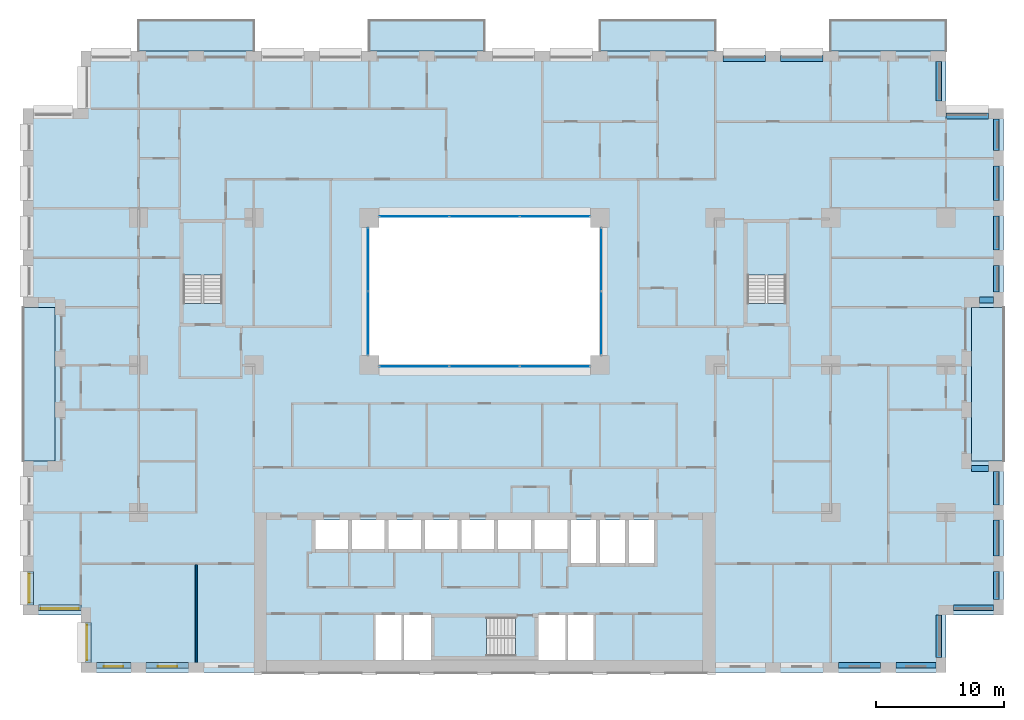
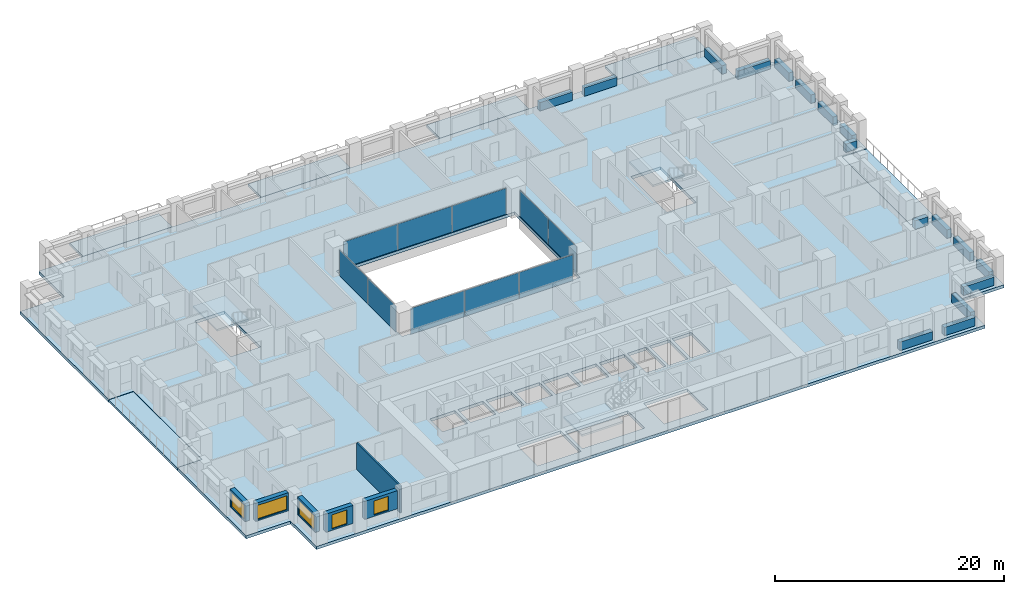
# One storey, part 8 of 20: 17 beams, 10 plates, 10 slabs, 6 walls, 5 windows, 5 openings, 7 elements without a shape of their own.
"""IFC4 building model written with IfcOpenShell, lengths in metres."""

from ifc_helpers import new_model, si_unit, direction, frame, frame_2d, origin, origin_2d, place, context, subcontext, project, spatial, polyline, rectangle, outline, extrude, material, layer, layer_set, material_profile, profile_set, type_object, element, fill, aggregate, save


model = new_model("IFC4")

# Units and contexts
model_context = context("Model", 3, precision=1e-05, world=origin(), true_north=direction((0.0, 1.0)))
body_context = subcontext(model_context, "Body", "Model", "MODEL_VIEW")
ifc_project = project(units=[si_unit("LENGTHUNIT", "METRE"), si_unit("AREAUNIT", "SQUARE_METRE"), si_unit("VOLUMEUNIT", "CUBIC_METRE"), si_unit("PLANEANGLEUNIT", "RADIAN"), si_unit("MASSUNIT", "GRAM", prefix="KILO")], contexts=[model_context])

# Site, building, storey
site_placement = place(None, origin())
site = spatial("IfcSite", under=ifc_project, at=site_placement, CompositionType="ELEMENT")
building_placement = place(site_placement, origin())
building = spatial("IfcBuilding", under=site, at=building_placement, Name="Brigalow Station Residences", CompositionType="ELEMENT")
storey_placement = place(building_placement, frame((0.0, 0.0, 44.699951171875)))
storey = spatial("IfcBuildingStorey", under=building, at=storey_placement, Name="L12", CompositionType="ELEMENT", Elevation=44.699951171875)

# Beams
ifc_material_1 = material(Name="Concrete C65", Category="concrete")
ifc_material_profile = material_profile(ifc_material_1, rectangle(XDim=0.449951171875, YDim=0.89990234375, at=origin_2d()), Name="RC450x900")
ifc_profile_set = profile_set([ifc_material_profile], Name="Concrete C65")
beam_type = type_object("IfcBeamType", Name="SPANDREL BEAM 450x900 C65", PredefinedType="SPANDREL", material=ifc_profile_set)
beam_1_placement = place(storey_placement, frame((63.60009765625, 0.574951171875, 0.449951171875), z_axis=(1.0, 0.0, 0.0), x_axis=(0.0, 1.0, 0.0)))
element("IfcBeam", 1, at=beam_1_placement, inside=storey, type_object=beam_type, Name="L12/spandrel/W-L12-7", PredefinedType="SPANDREL", context=body_context, shape_type="SweptSolid", body=[
    extrude(rectangle(XDim=0.449951171875, YDim=0.89990234375, at=origin_2d()), origin(), (0.0, 0.0, 1.0), 3.2998046875),
])
beam_2_placement = place(storey_placement, frame((68.10009765625, 0.574951171875, 0.449951171875), z_axis=(1.0, 0.0, 0.0), x_axis=(0.0, 1.0, 0.0)))
element("IfcBeam", 2, at=beam_2_placement, inside=storey, type_object=beam_type, Name="L12/spandrel/W-L12-8", PredefinedType="SPANDREL", context=body_context, shape_type="SweptSolid", body=[
    extrude(rectangle(XDim=0.449951171875, YDim=0.89990234375, at=origin_2d()), origin(), (0.0, 0.0, 1.0), 3.099853515625),
])
beam_3_placement = place(storey_placement, frame((71.425048828125, 1.199951171875, 0.449951171875), z_axis=(0.0, 1.0, 0.0), x_axis=(-1.0, 0.0, 0.0)))
element("IfcBeam", 3, at=beam_3_placement, inside=storey, type_object=beam_type, Name="L12/spandrel/W-L12-9", PredefinedType="SPANDREL", context=body_context, shape_type="SweptSolid", body=[
    extrude(rectangle(XDim=0.449951171875, YDim=0.89990234375, at=origin_2d()), origin(), (0.0, 0.0, 1.0), 3.300048828125),
])
beam_4_placement = place(storey_placement, frame((72.60009765625, 5.074951171875, 0.449951171875), z_axis=(1.0, 0.0, 0.0), x_axis=(0.0, 1.0, 0.0)))
element("IfcBeam", 4, at=beam_4_placement, inside=storey, type_object=beam_type, Name="L12/spandrel/W-L12-10", PredefinedType="SPANDREL", context=body_context, shape_type="SweptSolid", body=[
    extrude(rectangle(XDim=0.449951171875, YDim=0.89990234375, at=origin_2d()), origin(), (0.0, 0.0, 1.0), 3.099853515625),
])
beam_5_placement = place(storey_placement, frame((75.925048828125, 5.699951171875, 0.449951171875), z_axis=(0.0, 1.0, 0.0), x_axis=(-1.0, 0.0, 0.0)))
element("IfcBeam", 5, at=beam_5_placement, inside=storey, type_object=beam_type, Name="L12/spandrel/W-L12-11", PredefinedType="SPANDREL", context=body_context, shape_type="SweptSolid", body=[
    extrude(rectangle(XDim=0.449951171875, YDim=0.89990234375, at=origin_2d()), origin(), (0.0, 0.0, 1.0), 2.199951171875),
])
beam_6_placement = place(storey_placement, frame((75.925048828125, 9.10009765625, 0.449951171875), z_axis=(0.0, 1.0, 0.0), x_axis=(-1.0, 0.0, 0.0)))
element("IfcBeam", 6, at=beam_6_placement, inside=storey, type_object=beam_type, Name="L12/spandrel/W-L12-12", PredefinedType="SPANDREL", context=body_context, shape_type="SweptSolid", body=[
    extrude(rectangle(XDim=0.449951171875, YDim=0.89990234375, at=origin_2d()), origin(), (0.0, 0.0, 1.0), 2.7998046875),
])
beam_7_placement = place(storey_placement, frame((75.925048828125, 13.10009765625, 0.449951171875), z_axis=(0.0, 1.0, 0.0), x_axis=(-1.0, 0.0, 0.0)))
element("IfcBeam", 7, at=beam_7_placement, inside=storey, type_object=beam_type, Name="L12/spandrel/W-L12-13", PredefinedType="SPANDREL", context=body_context, shape_type="SweptSolid", body=[
    extrude(rectangle(XDim=0.449951171875, YDim=0.89990234375, at=origin_2d()), origin(), (0.0, 0.0, 1.0), 2.599853515625),
])
beam_8_placement = place(storey_placement, frame((75.300048828125, 15.925048828125, 0.449951171875), z_axis=(-1.0, 0.0, 0.0), x_axis=(0.0, -1.0, 0.0)))
element("IfcBeam", 8, at=beam_8_placement, inside=storey, type_object=beam_type, Name="L12/spandrel/W-L12-14", PredefinedType="SPANDREL", context=body_context, shape_type="SweptSolid", body=[
    extrude(rectangle(XDim=0.449951171875, YDim=0.89990234375, at=origin_2d()), origin(), (0.0, 0.0, 1.0), 1.300048828125),
])
beam_9_placement = place(storey_placement, frame((74.60009765625, 29.074951171875, 0.449951171875), z_axis=(1.0, 0.0, 0.0), x_axis=(0.0, 1.0, 0.0)))
element("IfcBeam", 9, at=beam_9_placement, inside=storey, type_object=beam_type, Name="L12/spandrel/W-L12-18", PredefinedType="SPANDREL", context=body_context, shape_type="SweptSolid", body=[
    extrude(rectangle(XDim=0.449951171875, YDim=0.89990234375, at=origin_2d()), origin(), (0.0, 0.0, 1.0), 1.099853515625),
])
beam_10_placement = place(storey_placement, frame((75.925048828125, 29.699951171875, 0.449951171875), z_axis=(0.0, 1.0, 0.0), x_axis=(-1.0, 0.0, 0.0)))
element("IfcBeam", 10, at=beam_10_placement, inside=storey, type_object=beam_type, Name="L12/spandrel/W-L12-19", PredefinedType="SPANDREL", context=body_context, shape_type="SweptSolid", body=[
    extrude(rectangle(XDim=0.449951171875, YDim=0.89990234375, at=origin_2d()), origin(), (0.0, 0.0, 1.0), 2.074951171875),
])
for number, where, z_axis, x_axis, name in (
    (11, (75.925048828125, 32.97509765625, 0.449951171875), (0.0, 1.0, 0.0), (-1.0, 0.0, 0.0), "L12/spandrel/W-L12-20"),
    (12, (75.925048828125, 36.85009765625, 0.449951171875), (0.0, 1.0, 0.0), (-1.0, 0.0, 0.0), "L12/spandrel/W-L12-21"),
):
    element("IfcBeam", number, at=place(storey_placement, frame(where, z_axis=z_axis, x_axis=x_axis)), inside=storey, type_object=beam_type, Name=name, PredefinedType="SPANDREL", context=body_context, shape_type="SweptSolid", body=[
        extrude(rectangle(XDim=0.449951171875, YDim=0.89990234375, at=origin_2d()), origin(), (0.0, 0.0, 1.0), 2.6748046875),
    ])
beam_11_placement = place(storey_placement, frame((75.925048828125, 40.72509765625, 0.449951171875), z_axis=(0.0, 1.0, 0.0), x_axis=(-1.0, 0.0, 0.0)))
element("IfcBeam", 13, at=beam_11_placement, inside=storey, type_object=beam_type, Name="L12/spandrel/W-L12-22", PredefinedType="SPANDREL", context=body_context, shape_type="SweptSolid", body=[
    extrude(rectangle(XDim=0.449951171875, YDim=0.89990234375, at=origin_2d()), origin(), (0.0, 0.0, 1.0), 2.474853515625),
])
beam_12_placement = place(storey_placement, frame((75.300048828125, 43.425048828125, 0.449951171875), z_axis=(-1.0, 0.0, 0.0), x_axis=(0.0, -1.0, 0.0)))
element("IfcBeam", 14, at=beam_12_placement, inside=storey, type_object=beam_type, Name="L12/spandrel/W-L12-23", PredefinedType="SPANDREL", context=body_context, shape_type="SweptSolid", body=[
    extrude(rectangle(XDim=0.449951171875, YDim=0.89990234375, at=origin_2d()), origin(), (0.0, 0.0, 1.0), 3.300048828125),
])
beam_13_placement = place(storey_placement, frame((71.425048828125, 44.60009765625, 0.449951171875), z_axis=(0.0, 1.0, 0.0), x_axis=(-1.0, 0.0, 0.0)))
element("IfcBeam", 15, at=beam_13_placement, inside=storey, type_object=beam_type, Name="L12/spandrel/W-L12-24", PredefinedType="SPANDREL", context=body_context, shape_type="SweptSolid", body=[
    extrude(rectangle(XDim=0.449951171875, YDim=0.89990234375, at=origin_2d()), origin(), (0.0, 0.0, 1.0), 3.099853515625),
])
for number, where, z_axis, x_axis, name in (
    (16, (62.39990234375, 47.925048828125, 0.449951171875), (-1.0, 0.0, 0.0), (0.0, -1.0, 0.0), "L12/spandrel/W-L12-27"),
    (17, (57.89990234375, 47.925048828125, 0.449951171875), (-1.0, 0.0, 0.0), (0.0, -1.0, 0.0), "L12/spandrel/W-L12-28"),
):
    element("IfcBeam", number, at=place(storey_placement, frame(where, z_axis=z_axis, x_axis=x_axis)), inside=storey, type_object=beam_type, Name=name, PredefinedType="SPANDREL", context=body_context, shape_type="SweptSolid", body=[
        extrude(rectangle(XDim=0.449951171875, YDim=0.89990234375, at=origin_2d()), origin(), (0.0, 0.0, 1.0), 3.2998046875),
    ])

# Curtain wall, plates
ifc_material_2 = material(Name="Aluminium", Category="aluminium")
ifc_layer_1 = layer(ifc_material_2, 0.14990234375)
ifc_layer_set_1 = layer_set([ifc_layer_1], Name="ATRIUM FIRE-RATED GLAZING CURTAIN WALL")
curtain_wall_type = type_object("IfcCurtainWallType", Name="ATRIUM FIRE-RATED GLAZING CURTAIN WALL", PredefinedType="NOTDEFINED", material=ifc_layer_set_1)
curtain_wall_1_placement = place(storey_placement, origin())
curtain_wall_1 = element("IfcCurtainWall", 18, at=curtain_wall_1_placement, inside=storey, type_object=curtain_wall_type, Name="L12/cw/atrium-S", PredefinedType="NOTDEFINED")
ifc_material_3 = material(Name="Fire-resisting laminated glazing, FRL -/60/-", Category="glass")
ifc_layer_2 = layer(ifc_material_3, 0.031982421875)
ifc_layer_set_2 = layer_set([ifc_layer_2], Name="ATRIUM FIRE-RATED GLAZING PANEL 32")
plate_type = type_object("IfcPlateType", Name="ATRIUM FIRE-RATED GLAZING PANEL 32", PredefinedType="CURTAIN_PANEL", material=ifc_layer_set_2)
plate_1_placement = place(storey_placement, frame((30.514892578125, 23.89990234375, 0.0), z_axis=(0.0, 0.0, 1.0), x_axis=(1.0, 0.0, 0.0)))
plate_1 = element("IfcPlate", 19, at=plate_1_placement, type_object=plate_type, Name="L12/cw/atrium-S/P00-00", PredefinedType="CURTAIN_PANEL", context=body_context, shape_type="SweptSolid", body=[
    extrude(rectangle(XDim=5.409912109375, YDim=0.031982421875, at=origin_2d()), origin(), (0.0, 0.0, 1.0), 2.77001953125),
])
plate_2_placement = place(storey_placement, frame((36.0, 23.89990234375, 0.0), z_axis=(0.0, 0.0, 1.0), x_axis=(1.0, 0.0, 0.0)))
plate_2 = element("IfcPlate", 20, at=plate_2_placement, type_object=plate_type, Name="L12/cw/atrium-S/P01-00", PredefinedType="CURTAIN_PANEL", context=body_context, shape_type="SweptSolid", body=[
    extrude(rectangle(XDim=5.43994140625, YDim=0.031982421875, at=origin_2d()), origin(), (0.0, 0.0, 1.0), 2.77001953125),
])
plate_3_placement = place(storey_placement, frame((41.485107421875, 23.89990234375, 0.0), z_axis=(0.0, 0.0, 1.0), x_axis=(1.0, 0.0, 0.0)))
plate_3 = element("IfcPlate", 21, at=plate_3_placement, type_object=plate_type, Name="L12/cw/atrium-S/P02-00", PredefinedType="CURTAIN_PANEL", context=body_context, shape_type="SweptSolid", body=[
    extrude(rectangle(XDim=5.409912109375, YDim=0.031982421875, at=origin_2d()), origin(), (0.0, 0.0, 1.0), 2.77001953125),
])
aggregate(curtain_wall_1, [plate_1, plate_2, plate_3])

curtain_wall_2_placement = place(storey_placement, origin())
curtain_wall_2 = element("IfcCurtainWall", 22, at=curtain_wall_2_placement, inside=storey, type_object=curtain_wall_type, Name="L12/cw/atrium-E", PredefinedType="NOTDEFINED")
plate_4_placement = place(storey_placement, frame((45.10009765625, 27.264892578125, 0.0), z_axis=(0.0, 0.0, 1.0), x_axis=(0.0, 1.0, 0.0)))
plate_4 = element("IfcPlate", 23, at=plate_4_placement, type_object=plate_type, Name="L12/cw/atrium-E/P00-00", PredefinedType="CURTAIN_PANEL", context=body_context, shape_type="SweptSolid", body=[
    extrude(rectangle(XDim=4.909912109375, YDim=0.031982421875, at=origin_2d()), origin(), (0.0, 0.0, 1.0), 2.77001953125),
])
plate_5_placement = place(storey_placement, frame((45.10009765625, 32.235107421875, 0.0), z_axis=(0.0, 0.0, 1.0), x_axis=(0.0, 1.0, 0.0)))
plate_5 = element("IfcPlate", 24, at=plate_5_placement, type_object=plate_type, Name="L12/cw/atrium-E/P01-00", PredefinedType="CURTAIN_PANEL", context=body_context, shape_type="SweptSolid", body=[
    extrude(rectangle(XDim=4.909912109375, YDim=0.031982421875, at=origin_2d()), origin(), (0.0, 0.0, 1.0), 2.77001953125),
])
aggregate(curtain_wall_2, [plate_4, plate_5])

curtain_wall_3_placement = place(storey_placement, origin())
curtain_wall_3 = element("IfcCurtainWall", 25, at=curtain_wall_3_placement, inside=storey, type_object=curtain_wall_type, Name="L12/cw/atrium-N", PredefinedType="NOTDEFINED")
plate_6_placement = place(storey_placement, frame((41.485107421875, 35.60009765625, 0.0), z_axis=(0.0, 0.0, 1.0), x_axis=(-1.0, 0.0, 0.0)))
plate_6 = element("IfcPlate", 26, at=plate_6_placement, type_object=plate_type, Name="L12/cw/atrium-N/P00-00", PredefinedType="CURTAIN_PANEL", context=body_context, shape_type="SweptSolid", body=[
    extrude(rectangle(XDim=5.409912109375, YDim=0.031982421875, at=origin_2d()), origin(), (0.0, 0.0, 1.0), 2.77001953125),
])
plate_7_placement = place(storey_placement, frame((36.0, 35.60009765625, 0.0), z_axis=(0.0, 0.0, 1.0), x_axis=(-1.0, 0.0, 0.0)))
plate_7 = element("IfcPlate", 27, at=plate_7_placement, type_object=plate_type, Name="L12/cw/atrium-N/P01-00", PredefinedType="CURTAIN_PANEL", context=body_context, shape_type="SweptSolid", body=[
    extrude(rectangle(XDim=5.43994140625, YDim=0.031982421875, at=origin_2d()), origin(), (0.0, 0.0, 1.0), 2.77001953125),
])
plate_8_placement = place(storey_placement, frame((30.514892578125, 35.60009765625, 0.0), z_axis=(0.0, 0.0, 1.0), x_axis=(-1.0, 0.0, 0.0)))
plate_8 = element("IfcPlate", 28, at=plate_8_placement, type_object=plate_type, Name="L12/cw/atrium-N/P02-00", PredefinedType="CURTAIN_PANEL", context=body_context, shape_type="SweptSolid", body=[
    extrude(rectangle(XDim=5.409912109375, YDim=0.031982421875, at=origin_2d()), origin(), (0.0, 0.0, 1.0), 2.77001953125),
])
aggregate(curtain_wall_3, [plate_6, plate_7, plate_8])

curtain_wall_4_placement = place(storey_placement, origin())
curtain_wall_4 = element("IfcCurtainWall", 29, at=curtain_wall_4_placement, inside=storey, type_object=curtain_wall_type, Name="L12/cw/atrium-W", PredefinedType="NOTDEFINED")
plate_9_placement = place(storey_placement, frame((26.89990234375, 32.235107421875, 0.0), z_axis=(0.0, 0.0, 1.0), x_axis=(0.0, -1.0, 0.0)))
plate_9 = element("IfcPlate", 30, at=plate_9_placement, type_object=plate_type, Name="L12/cw/atrium-W/P00-00", PredefinedType="CURTAIN_PANEL", context=body_context, shape_type="SweptSolid", body=[
    extrude(rectangle(XDim=4.909912109375, YDim=0.031982421875, at=origin_2d()), origin(), (0.0, 0.0, 1.0), 2.77001953125),
])
plate_10_placement = place(storey_placement, frame((26.89990234375, 27.264892578125, 0.0), z_axis=(0.0, 0.0, 1.0), x_axis=(0.0, -1.0, 0.0)))
plate_10 = element("IfcPlate", 31, at=plate_10_placement, type_object=plate_type, Name="L12/cw/atrium-W/P01-00", PredefinedType="CURTAIN_PANEL", context=body_context, shape_type="SweptSolid", body=[
    extrude(rectangle(XDim=4.909912109375, YDim=0.031982421875, at=origin_2d()), origin(), (0.0, 0.0, 1.0), 2.77001953125),
])
aggregate(curtain_wall_4, [plate_9, plate_10])

# Slabs
ifc_material_4 = material(Name="Concrete C50 precast", Category="concrete")
ifc_layer_3 = layer(ifc_material_4, 0.25)
ifc_layer_set_3 = layer_set([ifc_layer_3], Name="BALCONY SLAB 250")
slab_type_1 = type_object("IfcSlabType", Name="BALCONY SLAB 250", PredefinedType="USERDEFINED", material=ifc_layer_set_3)
slab_1_placement = place(storey_placement, frame((0.0, 0.0, -0.2900390625)))
element("IfcSlab", 32, at=slab_1_placement, inside=storey, type_object=slab_type_1, Name="L12/balcony/1", ObjectType="BALCONY", PredefinedType="USERDEFINED", context=body_context, shape_type="SweptSolid", body=[
    extrude(outline(polyline([(74.0, 16.5), (76.5, 16.5), (76.5, 28.5), (74.0, 28.5), (74.0, 16.5)])), origin(), (0.0, 0.0, 1.0), 0.25),
])
slab_2_placement = place(storey_placement, frame((0.0, 0.0, -0.2900390625)))
element("IfcSlab", 33, at=slab_2_placement, inside=storey, type_object=slab_type_1, Name="L12/balcony/2", ObjectType="BALCONY", PredefinedType="USERDEFINED", context=body_context, shape_type="SweptSolid", body=[
    extrude(outline(polyline([(72.0, 48.5), (72.0, 50.89990234375), (63.0, 50.89990234375), (63.0, 48.5), (72.0, 48.5)])), origin(), (0.0, 0.0, 1.0), 0.25),
])
slab_3_placement = place(storey_placement, frame((0.0, 0.0, -0.2900390625)))
element("IfcSlab", 34, at=slab_3_placement, inside=storey, type_object=slab_type_1, Name="L12/balcony/3", ObjectType="BALCONY", PredefinedType="USERDEFINED", context=body_context, shape_type="SweptSolid", body=[
    extrude(outline(polyline([(54.0, 48.5), (54.0, 50.89990234375), (45.0, 50.89990234375), (45.0, 48.5), (54.0, 48.5)])), origin(), (0.0, 0.0, 1.0), 0.25),
])
slab_4_placement = place(storey_placement, frame((0.0, 0.0, -0.2900390625)))
element("IfcSlab", 35, at=slab_4_placement, inside=storey, type_object=slab_type_1, Name="L12/balcony/4", ObjectType="BALCONY", PredefinedType="USERDEFINED", context=body_context, shape_type="SweptSolid", body=[
    extrude(outline(polyline([(36.0, 48.5), (36.0, 50.89990234375), (27.0, 50.89990234375), (27.0, 48.5), (36.0, 48.5)])), origin(), (0.0, 0.0, 1.0), 0.25),
])
slab_5_placement = place(storey_placement, frame((0.0, 0.0, -0.2900390625)))
element("IfcSlab", 36, at=slab_5_placement, inside=storey, type_object=slab_type_1, Name="L12/balcony/5", ObjectType="BALCONY", PredefinedType="USERDEFINED", context=body_context, shape_type="SweptSolid", body=[
    extrude(outline(polyline([(18.0, 48.5), (18.0, 50.89990234375), (9.0, 50.89990234375), (9.0, 48.5), (18.0, 48.5)])), origin(), (0.0, 0.0, 1.0), 0.25),
])
slab_6_placement = place(storey_placement, frame((0.0, 0.0, -0.2900390625)))
element("IfcSlab", 37, at=slab_6_placement, inside=storey, type_object=slab_type_1, Name="L12/balcony/6", ObjectType="BALCONY", PredefinedType="USERDEFINED", context=body_context, shape_type="SweptSolid", body=[
    extrude(outline(polyline([(2.5, 28.5), (0.0, 28.5), (0.0, 16.5), (2.5, 16.5), (2.5, 28.5)])), origin(), (0.0, 0.0, 1.0), 0.25),
])
ifc_material_5 = material(Name="Concrete C50", Category="concrete")
ifc_layer_4 = layer(ifc_material_5, 0.320068359375)
ifc_layer_set_4 = layer_set([ifc_layer_4], Name="POST-TENSIONED FLAT PLATE 320 C50")
slab_type_2 = type_object("IfcSlabType", Name="POST-TENSIONED FLAT PLATE 320 C50", PredefinedType="FLOOR", material=ifc_layer_set_4)
slab_7_placement = place(storey_placement, frame((0.0, 0.0, -0.320068359375)))
element("IfcSlab", 38, at=slab_7_placement, inside=storey, type_object=slab_type_2, Name="FLOOR SLAB L12", PredefinedType="FLOOR", context=body_context, shape_type="SweptSolid", body=[
    extrude(outline(polyline([(4.5, 0.0), (72.0, 0.0), (72.0, 4.5), (76.5, 4.5), (76.5, 16.5), (74.0, 16.5), (74.0, 28.5), (76.5, 28.5), (76.5, 44.0), (72.0, 44.0), (72.0, 48.5), (4.5, 48.5), (4.5, 44.0), (0.0, 44.0), (0.0, 28.5), (2.5, 28.5), (2.5, 16.5), (0.0, 16.5), (0.0, 4.5), (4.5, 4.5), (4.5, 0.0)]), holes=[polyline([(15.4951171875, 35.094970703125), (15.4951171875, 28.804931640625), (12.5048828125, 28.804931640625), (12.5048828125, 35.094970703125), (15.4951171875, 35.094970703125)]), polyline([(22.800048828125, 11.89990234375), (25.35009765625, 11.89990234375), (25.35009765625, 9.64990234375), (22.800048828125, 9.64990234375), (22.800048828125, 11.89990234375)]), polyline([(25.64990234375, 11.89990234375), (28.199951171875, 11.89990234375), (28.199951171875, 9.64990234375), (25.64990234375, 9.64990234375), (25.64990234375, 11.89990234375)]), polyline([(28.5, 11.89990234375), (31.050048828125, 11.89990234375), (31.050048828125, 9.64990234375), (28.5, 9.64990234375), (28.5, 11.89990234375)]), polyline([(29.60009765625, 1.0), (27.39990234375, 1.0), (27.39990234375, 4.60009765625), (29.60009765625, 4.60009765625), (31.800048828125, 4.60009765625), (31.800048828125, 1.0), (29.60009765625, 1.0)]), polyline([(31.35009765625, 11.89990234375), (33.89990234375, 11.89990234375), (33.89990234375, 9.64990234375), (31.35009765625, 9.64990234375), (31.35009765625, 11.89990234375)]), polyline([(32.10498046875, 4.294921875), (38.39501953125, 4.294921875), (38.39501953125, 1.304931640625), (32.10498046875, 1.304931640625), (32.10498046875, 4.294921875)]), polyline([(36.75, 11.89990234375), (36.75, 9.64990234375), (34.199951171875, 9.64990234375), (34.199951171875, 11.89990234375), (36.75, 11.89990234375)]), polyline([(37.050048828125, 11.89990234375), (39.60009765625, 11.89990234375), (39.60009765625, 9.64990234375), (37.050048828125, 9.64990234375), (37.050048828125, 11.89990234375)]), polyline([(39.89990234375, 11.89990234375), (42.449951171875, 11.89990234375), (42.449951171875, 9.64990234375), (39.89990234375, 9.64990234375), (39.89990234375, 11.89990234375)]), polyline([(42.39990234375, 1.0), (40.199951171875, 1.0), (40.199951171875, 4.60009765625), (42.39990234375, 4.60009765625), (44.60009765625, 4.60009765625), (44.60009765625, 1.0), (42.39990234375, 1.0)]), polyline([(42.75, 11.89990234375), (44.699951171875, 11.89990234375), (44.699951171875, 8.550048828125), (42.75, 8.550048828125), (42.75, 11.89990234375)]), polyline([(45.0, 11.89990234375), (46.949951171875, 11.89990234375), (46.949951171875, 8.550048828125), (45.0, 8.550048828125), (45.0, 11.89990234375)]), polyline([(45.0, 35.5), (45.0, 24.0), (27.0, 24.0), (27.0, 35.5), (45.0, 35.5)]), polyline([(47.25, 11.89990234375), (49.199951171875, 11.89990234375), (49.199951171875, 8.550048828125), (47.25, 8.550048828125), (47.25, 11.89990234375)]), polyline([(59.4951171875, 35.094970703125), (59.4951171875, 28.804931640625), (56.5048828125, 28.804931640625), (56.5048828125, 35.094970703125), (59.4951171875, 35.094970703125)])]), origin(), (0.0, 0.0, 1.0), 0.320068359375),
])

# Stair, slab
ifc_material_6 = material(Name="Concrete C50", Category="concrete")
stair_type = type_object("IfcStairType", Name="EXIT STAIR 1400 2 FLIGHT", PredefinedType="HALF_TURN_STAIR", material=ifc_material_6)
stair_1_placement = place(storey_placement, origin())
stair_1 = element("IfcStair", 39, at=stair_1_placement, inside=storey, type_object=stair_type, Name="EXIT STAIR S2 L12", PredefinedType="HALF_TURN_STAIR")
ifc_material_7 = material(Name="Concrete C50", Category="concrete")
ifc_layer_5 = layer(ifc_material_7, 0.199951171875)
ifc_layer_set_5 = layer_set([ifc_layer_5], Name="STAIR LANDING 200")
slab_type_3 = type_object("IfcSlabType", Name="STAIR LANDING 200", PredefinedType="LANDING", material=ifc_layer_set_5)
slab_8_placement = place(storey_placement, frame((0.0, 0.0, 1.375)))
slab_8 = element("IfcSlab", 40, at=slab_8_placement, type_object=slab_type_3, Name="ST-2 landing 1", PredefinedType="LANDING", context=body_context, shape_type="SweptSolid", body=[
    extrude(outline(polyline([(32.0, 1.199951171875), (36.159912109375, 1.199951171875), (36.159912109375, 4.39990234375), (32.0, 4.39990234375), (32.0, 1.199951171875)])), origin(), (0.0, 0.0, 1.0), 0.199951171875),
])
aggregate(stair_1, [slab_8])

stair_2_placement = place(storey_placement, origin())
stair_2 = element("IfcStair", 41, at=stair_2_placement, inside=storey, type_object=stair_type, Name="EXIT STAIR S1 L12", PredefinedType="HALF_TURN_STAIR")
slab_9_placement = place(storey_placement, frame((0.0, 0.0, 1.375)))
slab_9 = element("IfcSlab", 42, at=slab_9_placement, type_object=slab_type_3, Name="ST-1 landing 1", PredefinedType="LANDING", context=body_context, shape_type="SweptSolid", body=[
    extrude(outline(polyline([(12.39990234375, 31.0400390625), (15.60009765625, 31.0400390625), (15.60009765625, 35.199951171875), (12.39990234375, 35.199951171875), (12.39990234375, 31.0400390625)])), origin(), (0.0, 0.0, 1.0), 0.199951171875),
])
aggregate(stair_2, [slab_9])

stair_3_placement = place(storey_placement, origin())
stair_3 = element("IfcStair", 43, at=stair_3_placement, inside=storey, type_object=stair_type, Name="EXIT STAIR S3 L12", PredefinedType="HALF_TURN_STAIR")
slab_10_placement = place(storey_placement, frame((0.0, 0.0, 1.375)))
slab_10 = element("IfcSlab", 44, at=slab_10_placement, type_object=slab_type_3, Name="ST-3 landing 1", PredefinedType="LANDING", context=body_context, shape_type="SweptSolid", body=[
    extrude(outline(polyline([(56.39990234375, 31.0400390625), (59.60009765625, 31.0400390625), (59.60009765625, 35.199951171875), (56.39990234375, 35.199951171875), (56.39990234375, 31.0400390625)])), origin(), (0.0, 0.0, 1.0), 0.199951171875),
])
aggregate(stair_3, [slab_10])

# Wall, opening, window
ifc_material_8 = material(Name="Clay brick masonry", Category="masonry")
ifc_layer_6 = layer(ifc_material_8, 0.449951171875)
ifc_layer_set_6 = layer_set([ifc_layer_6], Name="BRICK INFILL WALL 450")
wall_type_1 = type_object("IfcWallType", Name="BRICK INFILL WALL 450", PredefinedType="SOLIDWALL", material=ifc_layer_set_6)
wall_1_placement = place(storey_placement, frame((5.699951171875, 0.574951171875, 0.900146484375), z_axis=(0.0, 0.0, 1.0), x_axis=(1.0, 0.0, 0.0)))
wall_1 = element("IfcWall", 45, at=wall_1_placement, inside=storey, type_object=wall_type_1, Name="L12/ewall/W-L12-1", PredefinedType="SOLIDWALL", context=body_context, shape_type="SweptSolid", body=[
    extrude(rectangle(XDim=2.699951171875, YDim=0.449951171875, at=frame_2d((1.35009765625, 0.0))), origin(), (0.0, 0.0, 1.0), 1.929931640625),
])
opening_1_placement = place(wall_1_placement, frame((0.60009765625, 0.0, 0.14990234375)))
opening_1 = element("IfcOpeningElement", 46, at=opening_1_placement, cuts=wall_1, Name="Opening WT-1", PredefinedType="OPENING", context=body_context, shape_type="SweptSolid", body=[
    extrude(rectangle(XDim=1.5, YDim=1.5, at=frame_2d((0.75, 0.75))), frame((0.0, 0.23486328125, 0.0), z_axis=(0.0, -1.0, 0.0), x_axis=(1.0, 0.0, 0.0)), (0.0, 0.0, 1.0), 0.469970703125),
])
ifc_material_9 = material(Name="Anodised aluminium frame with double glazing", Category="aluminium")
window_type_1 = type_object("IfcWindowType", Name="WINDOW 1500x1500", PartitioningType="SINGLE_PANEL", PredefinedType="WINDOW", material=ifc_material_9)
window_1_placement = place(opening_1_placement, origin())
window_1 = element("IfcWindow", 47, at=window_1_placement, inside=storey, type_object=window_type_1, Name="L12/window/W-L12-1", OverallHeight=1.5, OverallWidth=1.5, PartitioningType="SINGLE_PANEL", PredefinedType="WINDOW", context=body_context, shape_type="SweptSolid", body=[
    extrude(rectangle(XDim=1.5, YDim=1.5, at=frame_2d((0.75, 0.75))), frame((0.0, -0.06494140625, 0.0), z_axis=(0.0, -1.0, 0.0), x_axis=(1.0, 0.0, 0.0)), (0.0, 0.0, 1.0), 0.06005859375),
])
fill(opening_1, window_1)

wall_2_placement = place(storey_placement, frame((9.60009765625, 0.574951171875, 0.900146484375), z_axis=(0.0, 0.0, 1.0), x_axis=(1.0, 0.0, 0.0)))
wall_2 = element("IfcWall", 48, at=wall_2_placement, inside=storey, type_object=wall_type_1, Name="L12/ewall/W-L12-2", PredefinedType="SOLIDWALL", context=body_context, shape_type="SweptSolid", body=[
    extrude(rectangle(XDim=3.2998046875, YDim=0.449951171875, at=frame_2d((1.64990234375, 0.0))), origin(), (0.0, 0.0, 1.0), 1.929931640625),
])
opening_2_placement = place(wall_2_placement, frame((0.89990234375, 0.0, 0.14990234375)))
opening_2 = element("IfcOpeningElement", 49, at=opening_2_placement, cuts=wall_2, Name="Opening WT-1", PredefinedType="OPENING", context=body_context, shape_type="SweptSolid", body=[
    extrude(rectangle(XDim=1.5, YDim=1.5, at=frame_2d((0.75, 0.75))), frame((0.0, 0.23486328125, 0.0), z_axis=(0.0, -1.0, 0.0), x_axis=(1.0, 0.0, 0.0)), (0.0, 0.0, 1.0), 0.469970703125),
])
window_2_placement = place(opening_2_placement, origin())
window_2 = element("IfcWindow", 50, at=window_2_placement, inside=storey, type_object=window_type_1, Name="L12/window/W-L12-2", OverallHeight=1.5, OverallWidth=1.5, PartitioningType="SINGLE_PANEL", PredefinedType="WINDOW", context=body_context, shape_type="SweptSolid", body=[
    extrude(rectangle(XDim=1.5, YDim=1.5, at=frame_2d((0.75, 0.75))), frame((0.0, -0.06494140625, 0.0), z_axis=(0.0, -1.0, 0.0), x_axis=(1.0, 0.0, 0.0)), (0.0, 0.0, 1.0), 0.06005859375),
])
fill(opening_2, window_2)

wall_3_placement = place(storey_placement, frame((0.574951171875, 7.89990234375, 0.900146484375), z_axis=(0.0, 0.0, 1.0), x_axis=(0.0, -1.0, 0.0)))
wall_3 = element("IfcWall", 51, at=wall_3_placement, inside=storey, type_object=wall_type_1, Name="L12/ewall/W-L12-53", PredefinedType="SOLIDWALL", context=body_context, shape_type="SweptSolid", body=[
    extrude(rectangle(XDim=2.599853515625, YDim=0.449951171875, at=frame_2d((1.2998046875, 0.0))), origin(), (0.0, 0.0, 1.0), 1.929931640625),
])
opening_3_placement = place(wall_3_placement, frame((0.175048828125, 0.0, 0.14990234375)))
opening_3 = element("IfcOpeningElement", 52, at=opening_3_placement, cuts=wall_3, Name="Opening WT-6", PredefinedType="OPENING", context=body_context, shape_type="SweptSolid", body=[
    extrude(rectangle(XDim=2.25, YDim=1.5, at=frame_2d((1.125, 0.75))), frame((0.0, 0.23486328125, 0.0), z_axis=(0.0, -1.0, 0.0), x_axis=(1.0, 0.0, 0.0)), (0.0, 0.0, 1.0), 0.469970703125),
])
ifc_material_10 = material(Name="Anodised aluminium frame with double glazing", Category="aluminium")
window_type_2 = type_object("IfcWindowType", Name="WINDOW 2250x1500", PartitioningType="SINGLE_PANEL", PredefinedType="WINDOW", material=ifc_material_10)
window_3_placement = place(opening_3_placement, origin())
window_3 = element("IfcWindow", 53, at=window_3_placement, inside=storey, type_object=window_type_2, Name="L12/window/W-L12-53", OverallHeight=1.5, OverallWidth=2.25, PartitioningType="SINGLE_PANEL", PredefinedType="WINDOW", context=body_context, shape_type="SweptSolid", body=[
    extrude(rectangle(XDim=2.25, YDim=1.5, at=frame_2d((1.125, 0.75))), frame((0.0, -0.06494140625, 0.0), z_axis=(0.0, -1.0, 0.0), x_axis=(1.0, 0.0, 0.0)), (0.0, 0.0, 1.0), 0.06005859375),
])
fill(opening_3, window_3)

wall_4_placement = place(storey_placement, frame((1.199951171875, 5.074951171875, 0.900146484375), z_axis=(0.0, 0.0, 1.0), x_axis=(1.0, 0.0, 0.0)))
wall_4 = element("IfcWall", 54, at=wall_4_placement, inside=storey, type_object=wall_type_1, Name="L12/ewall/W-L12-54", PredefinedType="SOLIDWALL", context=body_context, shape_type="SweptSolid", body=[
    extrude(rectangle(XDim=3.300048828125, YDim=0.449951171875, at=frame_2d((1.64990234375, 0.0))), origin(), (0.0, 0.0, 1.0), 1.929931640625),
])
opening_4_placement = place(wall_4_placement, frame((0.14990234375, 0.0, 0.14990234375)))
opening_4 = element("IfcOpeningElement", 55, at=opening_4_placement, cuts=wall_4, Name="Opening WT-2", PredefinedType="OPENING", context=body_context, shape_type="SweptSolid", body=[
    extrude(rectangle(XDim=3.0, YDim=1.5, at=frame_2d((1.5, 0.75))), frame((0.0, 0.23486328125, 0.0), z_axis=(0.0, -1.0, 0.0), x_axis=(1.0, 0.0, 0.0)), (0.0, 0.0, 1.0), 0.469970703125),
])
ifc_material_11 = material(Name="Anodised aluminium frame with double glazing", Category="aluminium")
window_type_3 = type_object("IfcWindowType", Name="WINDOW 3000x1500", PartitioningType="SINGLE_PANEL", PredefinedType="WINDOW", material=ifc_material_11)
window_4_placement = place(opening_4_placement, origin())
window_4 = element("IfcWindow", 56, at=window_4_placement, inside=storey, type_object=window_type_3, Name="L12/window/W-L12-54", OverallHeight=1.5, OverallWidth=3.0, PartitioningType="SINGLE_PANEL", PredefinedType="WINDOW", context=body_context, shape_type="SweptSolid", body=[
    extrude(rectangle(XDim=3.0, YDim=1.5, at=frame_2d((1.5, 0.75))), frame((0.0, -0.06494140625, 0.0), z_axis=(0.0, -1.0, 0.0), x_axis=(1.0, 0.0, 0.0)), (0.0, 0.0, 1.0), 0.06005859375),
])
fill(opening_4, window_4)

wall_5_placement = place(storey_placement, frame((5.074951171875, 3.89990234375, 0.900146484375), z_axis=(0.0, 0.0, 1.0), x_axis=(0.0, -1.0, 0.0)))
wall_5 = element("IfcWall", 57, at=wall_5_placement, inside=storey, type_object=wall_type_1, Name="L12/ewall/W-L12-55", PredefinedType="SOLIDWALL", context=body_context, shape_type="SweptSolid", body=[
    extrude(rectangle(XDim=3.099853515625, YDim=0.449951171875, at=frame_2d((1.5498046875, 0.0))), origin(), (0.0, 0.0, 1.0), 1.929931640625),
])
opening_5_placement = place(wall_5_placement, frame((0.175048828125, 0.0, 0.14990234375)))
opening_5 = element("IfcOpeningElement", 58, at=opening_5_placement, cuts=wall_5, Name="Opening WT-3", PredefinedType="OPENING", context=body_context, shape_type="SweptSolid", body=[
    extrude(rectangle(XDim=2.75, YDim=1.5, at=frame_2d((1.375, 0.75))), frame((0.0, 0.23486328125, 0.0), z_axis=(0.0, -1.0, 0.0), x_axis=(1.0, 0.0, 0.0)), (0.0, 0.0, 1.0), 0.469970703125),
])
ifc_material_12 = material(Name="Anodised aluminium frame with double glazing", Category="aluminium")
window_type_4 = type_object("IfcWindowType", Name="WINDOW 2750x1500", PartitioningType="SINGLE_PANEL", PredefinedType="WINDOW", material=ifc_material_12)
window_5_placement = place(opening_5_placement, origin())
window_5 = element("IfcWindow", 59, at=window_5_placement, inside=storey, type_object=window_type_4, Name="L12/window/W-L12-55", OverallHeight=1.5, OverallWidth=2.75, PartitioningType="SINGLE_PANEL", PredefinedType="WINDOW", context=body_context, shape_type="SweptSolid", body=[
    extrude(rectangle(XDim=2.75, YDim=1.5, at=frame_2d((1.375, 0.75))), frame((0.0, -0.06494140625, 0.0), z_axis=(0.0, -1.0, 0.0), x_axis=(1.0, 0.0, 0.0)), (0.0, 0.0, 1.0), 0.06005859375),
])
fill(opening_5, window_5)

# Wall
ifc_material_13 = material(Name="Plasterboard on steel stud partition", Category="steel")
ifc_layer_7 = layer(ifc_material_13, 0.14990234375)
ifc_layer_set_7 = layer_set([ifc_layer_7], Name="FLAT PARTITION 150")
wall_type_2 = type_object("IfcWallType", Name="FLAT PARTITION 150", PredefinedType="PARTITIONING", material=ifc_layer_set_7)
wall_6_placement = place(storey_placement, frame((13.5, 0.800048828125, 0.0), z_axis=(0.0, 0.0, 1.0), x_axis=(0.0, 1.0, 0.0)))
element("IfcWall", 60, at=wall_6_placement, inside=storey, type_object=wall_type_2, Name="PW-1C49", PredefinedType="PARTITIONING", context=body_context, shape_type="SweptSolid", body=[
    extrude(rectangle(XDim=7.625, YDim=0.14990234375, at=frame_2d((3.8125, 0.0))), origin(), (0.0, 0.0, 1.0), 2.830078125),
])

save(model, "model.ifc")
